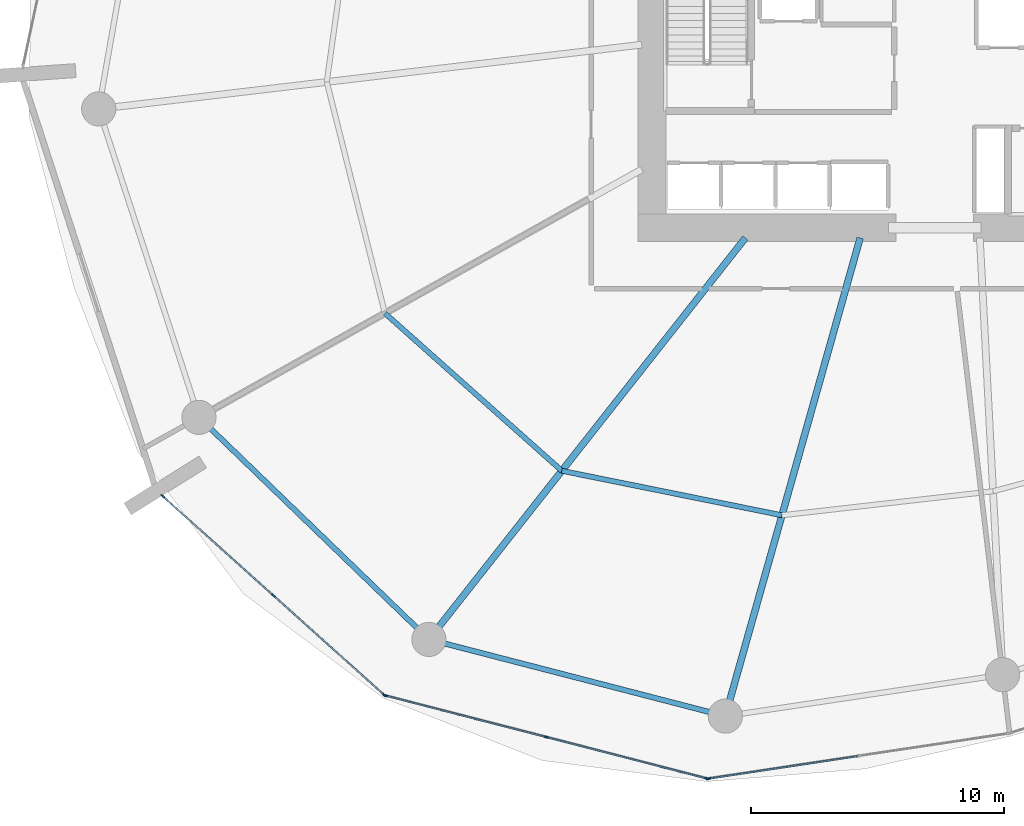
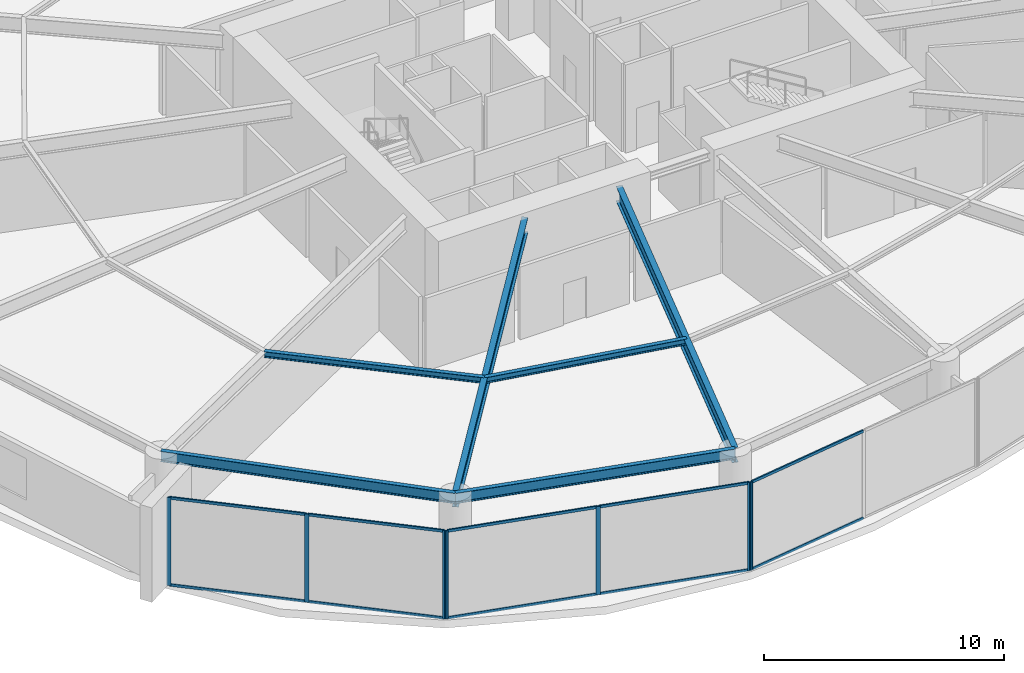
# One storey, part 7 of 22: 17 members, 6 beams, 3 elements without a shape of their own.
"""IFC4 building model written with IfcOpenShell, lengths in metres."""

from ifc_helpers import new_model, si_unit, direction, frame, origin, origin_2d, place, context, subcontext, project, spatial, rectangle, i_section, extrude, material, layer, layer_set, material_profile, profile_set, type_object, element, aggregate, save


model = new_model("IFC4")

# Units and contexts
model_context = context("Model", 3, precision=1e-05, world=origin(), true_north=direction((0.0, 1.0)))
body_context = subcontext(model_context, "Body", "Model", "MODEL_VIEW")
ifc_project = project(units=[si_unit("LENGTHUNIT", "METRE"), si_unit("AREAUNIT", "SQUARE_METRE"), si_unit("VOLUMEUNIT", "CUBIC_METRE"), si_unit("PLANEANGLEUNIT", "RADIAN"), si_unit("MASSUNIT", "GRAM", prefix="KILO")], contexts=[model_context])

# Site, building, storey
site_placement = place(None, origin())
site = spatial("IfcSite", under=ifc_project, at=site_placement, CompositionType="ELEMENT")
building_placement = place(site_placement, origin())
building = spatial("IfcBuilding", under=site, at=building_placement, Name="Kazma Halo Residences", CompositionType="ELEMENT")
storey_placement = place(building_placement, frame((0.0, 0.0, 7.199951171875)))
storey = spatial("IfcBuildingStorey", under=building, at=storey_placement, Name="L01", CompositionType="ELEMENT", Elevation=7.199951171875)

# Beams
ifc_material_1 = material(Name="Steel S355", Category="steel")
ifc_material_profile_1 = material_profile(ifc_material_1, i_section(OverallWidth=0.26708984375, OverallDepth=0.761962890625, WebThickness=0.014404296875, FlangeThickness=0.021484375, FilletRadius=0.02001953125, at=origin_2d()), Name="W760x173")
ifc_profile_set_1 = profile_set([ifc_material_profile_1], Name="Steel S355")
beam_type_1 = type_object("IfcBeamType", Name="BM-POD-W760", PredefinedType="BEAM", material=ifc_profile_set_1)
beam_1_placement = place(storey_placement, frame((40.9443359375, 33.050048828125, 4.09912109375), z_axis=(-0.619089277374, -0.785320613915, 0.0), x_axis=(0.785320613915, -0.619089277374, 0.0)))
element("IfcBeam", 1, at=beam_1_placement, inside=storey, type_object=beam_type_1, Name="L01 radial floor beam 10", PredefinedType="BEAM", context=body_context, shape_type="SweptSolid", body=[
    extrude(i_section(OverallWidth=0.26708984375, OverallDepth=0.761962890625, WebThickness=0.014404296875, FlangeThickness=0.021484375, FilletRadius=0.02001953125, at=origin_2d()), origin(), (0.0, 0.0, 1.0), 20.18701171875),
])
beam_2_placement = place(storey_placement, frame((45.475830078125, 33.050048828125, 4.09912109375), z_axis=(-0.271433858007, -0.962457095526, 0.0), x_axis=(0.962457095526, -0.271433858007, 0.0)))
element("IfcBeam", 2, at=beam_2_placement, inside=storey, type_object=beam_type_1, Name="L01 radial floor beam 11", PredefinedType="BEAM", context=body_context, shape_type="SweptSolid", body=[
    extrude(i_section(OverallWidth=0.26708984375, OverallDepth=0.761962890625, WebThickness=0.014404296875, FlangeThickness=0.021484375, FilletRadius=0.02001953125, at=origin_2d()), origin(), (0.0, 0.0, 1.0), 19.617919921875),
])
ifc_material_profile_2 = material_profile(ifc_material_1, i_section(OverallWidth=0.202880859375, OverallDepth=0.302978515625, WebThickness=0.007568359375, FlangeThickness=0.01318359375, FilletRadius=0.013916015625, at=origin_2d()), Name="W310x60")
ifc_profile_set_2 = profile_set([ifc_material_profile_2], Name="Steel S355")
beam_type_2 = type_object("IfcBeamType", Name="BM-SEC-W310A", PredefinedType="JOIST", material=ifc_profile_set_2)
beam_3_placement = place(storey_placement, frame((26.7099609375, 30.076904296875, 4.32861328125), z_axis=(0.74675669848, -0.665097311133, 0.0), x_axis=(0.665097311133, 0.74675669848, 0.0)))
element("IfcBeam", 3, at=beam_3_placement, inside=storey, type_object=beam_type_2, Name="L01 circumferential floor joist 09", PredefinedType="JOIST", context=body_context, shape_type="SweptSolid", body=[
    extrude(i_section(OverallWidth=0.202880859375, OverallDepth=0.302978515625, WebThickness=0.007568359375, FlangeThickness=0.01318359375, FilletRadius=0.013916015625, at=origin_2d()), origin(), (0.0, 0.0, 1.0), 9.35498046875),
])
beam_4_placement = place(storey_placement, frame((33.69580078125, 23.85498046875, 4.32861328125), z_axis=(0.980192243317, -0.198048393432, 0.0), x_axis=(0.198048393432, 0.980192243317, 0.0)))
element("IfcBeam", 4, at=beam_4_placement, inside=storey, type_object=beam_type_2, Name="L01 circumferential floor joist 10", PredefinedType="JOIST", context=body_context, shape_type="SweptSolid", body=[
    extrude(i_section(OverallWidth=0.202880859375, OverallDepth=0.302978515625, WebThickness=0.007568359375, FlangeThickness=0.01318359375, FilletRadius=0.013916015625, at=origin_2d()), origin(), (0.0, 0.0, 1.0), 8.866943359375),
])
ifc_material_profile_3 = material_profile(ifc_material_1, i_section(OverallWidth=0.208984375, OverallDepth=0.532958984375, WebThickness=0.01025390625, FlangeThickness=0.015625, FilletRadius=0.01611328125, at=origin_2d()), Name="W530x92")
ifc_profile_set_3 = profile_set([ifc_material_profile_3], Name="Steel S355")
beam_type_3 = type_object("IfcBeamType", Name="BM-SPN-W530", PredefinedType="BEAM", material=ifc_profile_set_3)
beam_5_placement = place(storey_placement, frame((19.3671875, 25.96484375, 4.213623046875), z_axis=(0.719339467226, -0.694658715407, 0.0), x_axis=(0.694658715407, 0.719339467226, 0.0)))
element("IfcBeam", 5, at=beam_5_placement, inside=storey, type_object=beam_type_3, Name="L01 perimeter ring beam 09", PredefinedType="BEAM", context=body_context, shape_type="SweptSolid", body=[
    extrude(i_section(OverallWidth=0.208984375, OverallDepth=0.532958984375, WebThickness=0.01025390625, FlangeThickness=0.015625, FilletRadius=0.01611328125, at=origin_2d()), origin(), (0.0, 0.0, 1.0), 12.6220703125),
])
beam_6_placement = place(storey_placement, frame((28.44677734375, 17.19677734375, 4.213623046875), z_axis=(0.968123781445, -0.250472241578, 0.0), x_axis=(0.250472241578, 0.968123781445, 0.0)))
element("IfcBeam", 6, at=beam_6_placement, inside=storey, type_object=beam_type_3, Name="L01 perimeter ring beam 10", PredefinedType="BEAM", context=body_context, shape_type="SweptSolid", body=[
    extrude(i_section(OverallWidth=0.208984375, OverallDepth=0.532958984375, WebThickness=0.01025390625, FlangeThickness=0.015625, FilletRadius=0.01611328125, at=origin_2d()), origin(), (0.0, 0.0, 1.0), 12.08935546875),
])

# Curtain wall, members
ifc_material_2 = material(Name="Aluminium AW-6063 T6 and Triple-Silver Low-E Glass", Category="aluminium")
ifc_layer = layer(ifc_material_2, 0.179931640625)
ifc_layer_set = layer_set([ifc_layer], Name="Aluminium AW-6063 T6 and Triple-Silver Low-E Glass")
curtain_wall_type = type_object("IfcCurtainWallType", Name="CW-SYS-1", PredefinedType="NOTDEFINED", material=ifc_layer_set)
curtain_wall_1_placement = place(storey_placement, origin())
curtain_wall_1 = element("IfcCurtainWall", 7, at=curtain_wall_1_placement, inside=storey, type_object=curtain_wall_type, Name="L01 unitised curtain wall B09", PredefinedType="NOTDEFINED")
ifc_material_3 = material(Name="Aluminium AW-6063 T6", Category="aluminium")
ifc_material_profile_4 = material_profile(ifc_material_3, rectangle(XDim=0.06494140625, YDim=0.179931640625, at=origin_2d()), Name="CWM-65x180")
ifc_profile_set_4 = profile_set([ifc_material_profile_4], Name="Aluminium AW-6063 T6")
member_type_1 = type_object("IfcMemberType", Name="CW-SYS-1-MUL", PredefinedType="MULLION", material=ifc_profile_set_4)
member_1_placement = place(storey_placement, frame((17.94140625, 22.85009765625, 0.0), z_axis=(0.0, 0.0, 1.0), x_axis=(0.667847908139, 0.744297770784, 0.0)))
member_1 = element("IfcMember", 8, at=member_1_placement, type_object=member_type_1, Name="CWS-1 mullion 1", PredefinedType="MULLION", context=body_context, shape_type="SweptSolid", body=[
    extrude(rectangle(XDim=0.06494140625, YDim=0.179931640625, at=origin_2d()), origin(), (0.0, 0.0, 1.0), 4.47998046875),
])
member_2_placement = place(storey_placement, frame((22.310791015625, 18.929443359375, 0.0), z_axis=(0.0, 0.0, 1.0), x_axis=(0.667847908139, 0.744297770784, 0.0)))
member_2 = element("IfcMember", 9, at=member_2_placement, type_object=member_type_1, Name="CWS-1 mullion 2", PredefinedType="MULLION", context=body_context, shape_type="SweptSolid", body=[
    extrude(rectangle(XDim=0.06494140625, YDim=0.179931640625, at=origin_2d()), origin(), (0.0, 0.0, 1.0), 4.47998046875),
])
member_3_placement = place(storey_placement, frame((26.680419921875, 15.0087890625, 0.0), z_axis=(0.0, 0.0, 1.0), x_axis=(0.667847908139, 0.744297770784, 0.0)))
member_3 = element("IfcMember", 10, at=member_3_placement, type_object=member_type_1, Name="CWS-1 mullion 3", PredefinedType="MULLION", context=body_context, shape_type="SweptSolid", body=[
    extrude(rectangle(XDim=0.06494140625, YDim=0.179931640625, at=origin_2d()), origin(), (0.0, 0.0, 1.0), 4.47998046875),
])

curtain_wall_2_placement = place(storey_placement, origin())
curtain_wall_2 = element("IfcCurtainWall", 11, at=curtain_wall_2_placement, inside=storey, type_object=curtain_wall_type, Name="L01 unitised curtain wall B10", PredefinedType="NOTDEFINED")
member_4_placement = place(storey_placement, frame((26.736083984375, 14.97900390625, 0.0), z_axis=(0.0, 0.0, 1.0), x_axis=(0.249727103953, 0.96831625699, 0.0)))
member_4 = element("IfcMember", 12, at=member_4_placement, type_object=member_type_1, Name="CWS-1 mullion 1", PredefinedType="MULLION", context=body_context, shape_type="SweptSolid", body=[
    extrude(rectangle(XDim=0.06494140625, YDim=0.179931640625, at=origin_2d()), origin(), (0.0, 0.0, 1.0), 4.47998046875),
])
member_5_placement = place(storey_placement, frame((33.079345703125, 13.343017578125, 0.0), z_axis=(0.0, 0.0, 1.0), x_axis=(0.249727103953, 0.96831625699, 0.0)))
member_5 = element("IfcMember", 13, at=member_5_placement, type_object=member_type_1, Name="CWS-1 mullion 2", PredefinedType="MULLION", context=body_context, shape_type="SweptSolid", body=[
    extrude(rectangle(XDim=0.06494140625, YDim=0.179931640625, at=origin_2d()), origin(), (0.0, 0.0, 1.0), 4.47998046875),
])
member_6_placement = place(storey_placement, frame((39.4228515625, 11.70703125, 0.0), z_axis=(0.0, 0.0, 1.0), x_axis=(0.249727103953, 0.96831625699, 0.0)))
member_6 = element("IfcMember", 14, at=member_6_placement, type_object=member_type_1, Name="CWS-1 mullion 3", PredefinedType="MULLION", context=body_context, shape_type="SweptSolid", body=[
    extrude(rectangle(XDim=0.06494140625, YDim=0.179931640625, at=origin_2d()), origin(), (0.0, 0.0, 1.0), 4.47998046875),
])

# Curtain wall, member
curtain_wall_3_placement = place(storey_placement, origin())
curtain_wall_3 = element("IfcCurtainWall", 15, at=curtain_wall_3_placement, inside=storey, type_object=curtain_wall_type, Name="L01 unitised curtain wall B11", PredefinedType="NOTDEFINED")
member_7_placement = place(storey_placement, frame((39.486328125, 11.70361328125, 0.0), z_axis=(0.0, 0.0, 1.0), x_axis=(-0.148548966342, 0.988905053379, 0.0)))
member_7 = element("IfcMember", 16, at=member_7_placement, type_object=member_type_1, Name="CWS-1 mullion 1", PredefinedType="MULLION", context=body_context, shape_type="SweptSolid", body=[
    extrude(rectangle(XDim=0.06494140625, YDim=0.179931640625, at=origin_2d()), origin(), (0.0, 0.0, 1.0), 4.47998046875),
])

# Member
ifc_material_profile_5 = material_profile(ifc_material_3, rectangle(XDim=0.06494140625, YDim=0.135009765625, at=origin_2d()), Name="CWT-65x135")
ifc_profile_set_5 = profile_set([ifc_material_profile_5], Name="Aluminium AW-6063 T6")
member_type_2 = type_object("IfcMemberType", Name="CW-SYS-1-TRN", PredefinedType="USERDEFINED", material=ifc_profile_set_5)
member_8_placement = place(storey_placement, frame((17.965576171875, 22.828369140625, 0.032470703125), z_axis=(0.744299097196, -0.667846429887, 0.0), x_axis=(0.667846429887, 0.744299097196, 0.0)))
member_8 = element("IfcMember", 17, at=member_8_placement, type_object=member_type_2, Name="CWS-1 transom 1.1", ObjectType="TRANSOM", PredefinedType="USERDEFINED", context=body_context, shape_type="SweptSolid", body=[
    extrude(rectangle(XDim=0.06494140625, YDim=0.135009765625, at=origin_2d()), origin(), (0.0, 0.0, 1.0), 5.805419921875),
])

member_9_placement = place(storey_placement, frame((17.965576171875, 22.828369140625, 4.447509765625), z_axis=(0.744299097196, -0.667846429887, 0.0), x_axis=(0.667846429887, 0.744299097196, 0.0)))
member_9 = element("IfcMember", 18, at=member_9_placement, type_object=member_type_2, Name="CWS-1 transom 1.2", ObjectType="TRANSOM", PredefinedType="USERDEFINED", context=body_context, shape_type="SweptSolid", body=[
    extrude(rectangle(XDim=0.06494140625, YDim=0.135009765625, at=origin_2d()), origin(), (0.0, 0.0, 1.0), 5.805419921875),
])

member_10_placement = place(storey_placement, frame((22.3349609375, 18.90771484375, 0.032470703125), z_axis=(0.744317852823, -0.667825526592, 0.0), x_axis=(0.667825526592, 0.744317852823, 0.0)))
member_10 = element("IfcMember", 19, at=member_10_placement, type_object=member_type_2, Name="CWS-1 transom 2.1", ObjectType="TRANSOM", PredefinedType="USERDEFINED", context=body_context, shape_type="SweptSolid", body=[
    extrude(rectangle(XDim=0.06494140625, YDim=0.135009765625, at=origin_2d()), origin(), (0.0, 0.0, 1.0), 5.8056640625),
])

member_11_placement = place(storey_placement, frame((22.3349609375, 18.90771484375, 4.447509765625), z_axis=(0.744317852823, -0.667825526592, 0.0), x_axis=(0.667825526592, 0.744317852823, 0.0)))
member_11 = element("IfcMember", 20, at=member_11_placement, type_object=member_type_2, Name="CWS-1 transom 2.2", ObjectType="TRANSOM", PredefinedType="USERDEFINED", context=body_context, shape_type="SweptSolid", body=[
    extrude(rectangle(XDim=0.06494140625, YDim=0.135009765625, at=origin_2d()), origin(), (0.0, 0.0, 1.0), 5.8056640625),
])

aggregate(curtain_wall_1, [member_1, member_2, member_3, member_8, member_9, member_10, member_11])

member_12_placement = place(storey_placement, frame((26.767578125, 14.970703125, 0.032470703125), z_axis=(0.968317854782, -0.249720908437, 0.0), x_axis=(0.249720908437, 0.968317854782, 0.0)))
member_12 = element("IfcMember", 21, at=member_12_placement, type_object=member_type_2, Name="CWS-1 transom 1.1", ObjectType="TRANSOM", PredefinedType="USERDEFINED", context=body_context, shape_type="SweptSolid", body=[
    extrude(rectangle(XDim=0.06494140625, YDim=0.135009765625, at=origin_2d()), origin(), (0.0, 0.0, 1.0), 6.48583984375),
])

member_13_placement = place(storey_placement, frame((26.767578125, 14.970703125, 4.447509765625), z_axis=(0.968317854782, -0.249720908437, 0.0), x_axis=(0.249720908437, 0.968317854782, 0.0)))
member_13 = element("IfcMember", 22, at=member_13_placement, type_object=member_type_2, Name="CWS-1 transom 1.2", ObjectType="TRANSOM", PredefinedType="USERDEFINED", context=body_context, shape_type="SweptSolid", body=[
    extrude(rectangle(XDim=0.06494140625, YDim=0.135009765625, at=origin_2d()), origin(), (0.0, 0.0, 1.0), 6.48583984375),
])

member_14_placement = place(storey_placement, frame((33.11083984375, 13.334716796875, 0.032470703125), z_axis=(0.968320202065, -0.249711806433, 0.0), x_axis=(0.249711806433, 0.968320202065, 0.0)))
member_14 = element("IfcMember", 23, at=member_14_placement, type_object=member_type_2, Name="CWS-1 transom 2.1", ObjectType="TRANSOM", PredefinedType="USERDEFINED", context=body_context, shape_type="SweptSolid", body=[
    extrude(rectangle(XDim=0.06494140625, YDim=0.135009765625, at=origin_2d()), origin(), (0.0, 0.0, 1.0), 6.486083984375),
])

member_15_placement = place(storey_placement, frame((33.11083984375, 13.334716796875, 4.447509765625), z_axis=(0.968320202065, -0.249711806433, 0.0), x_axis=(0.249711806433, 0.968320202065, 0.0)))
member_15 = element("IfcMember", 24, at=member_15_placement, type_object=member_type_2, Name="CWS-1 transom 2.2", ObjectType="TRANSOM", PredefinedType="USERDEFINED", context=body_context, shape_type="SweptSolid", body=[
    extrude(rectangle(XDim=0.06494140625, YDim=0.135009765625, at=origin_2d()), origin(), (0.0, 0.0, 1.0), 6.486083984375),
])

aggregate(curtain_wall_2, [member_4, member_5, member_6, member_12, member_13, member_14, member_15])

member_16_placement = place(storey_placement, frame((39.5185546875, 11.70849609375, 0.032470703125), z_axis=(0.988903408536, 0.14855991581, 0.0), x_axis=(-0.14855991581, 0.988903408536, 0.0)))
member_16 = element("IfcMember", 25, at=member_16_placement, type_object=member_type_2, Name="CWS-1 transom 1.1", ObjectType="TRANSOM", PredefinedType="USERDEFINED", context=body_context, shape_type="SweptSolid", body=[
    extrude(rectangle(XDim=0.06494140625, YDim=0.135009765625, at=origin_2d()), origin(), (0.0, 0.0, 1.0), 5.92919921875),
])

member_17_placement = place(storey_placement, frame((39.5185546875, 11.70849609375, 4.447509765625), z_axis=(0.988903408536, 0.14855991581, 0.0), x_axis=(-0.14855991581, 0.988903408536, 0.0)))
member_17 = element("IfcMember", 26, at=member_17_placement, type_object=member_type_2, Name="CWS-1 transom 1.2", ObjectType="TRANSOM", PredefinedType="USERDEFINED", context=body_context, shape_type="SweptSolid", body=[
    extrude(rectangle(XDim=0.06494140625, YDim=0.135009765625, at=origin_2d()), origin(), (0.0, 0.0, 1.0), 5.92919921875),
])

aggregate(curtain_wall_3, [member_7, member_16, member_17])

save(model, "model.ifc")
